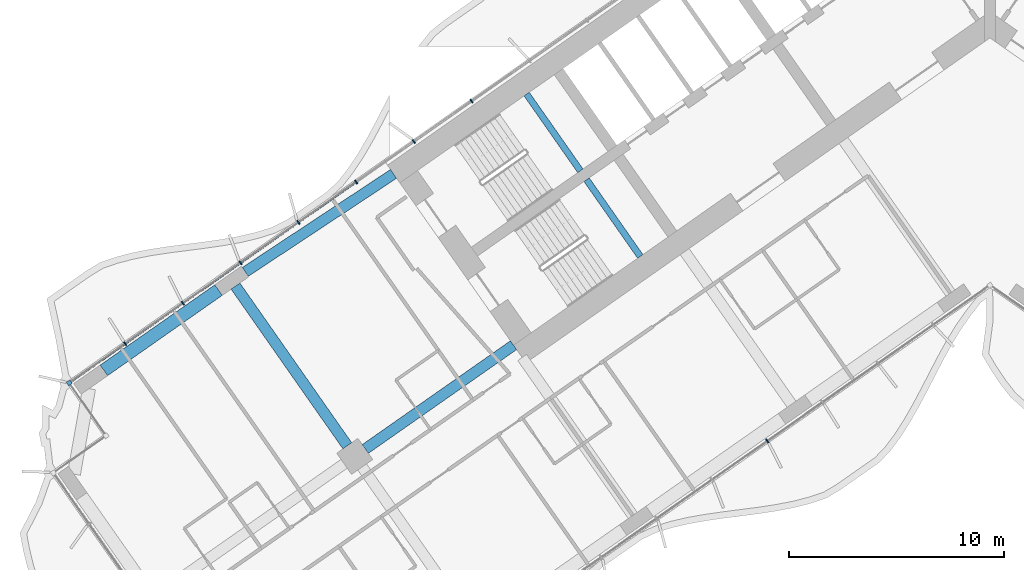
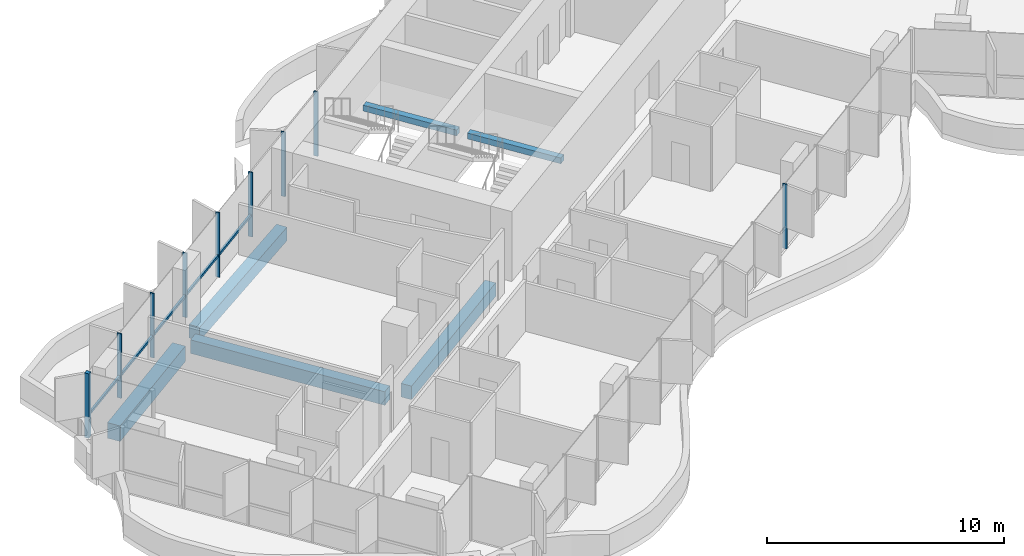
# One storey, part 4 of 23: 10 members, 6 beams, 2 elements without a shape of their own.
"""IFC4 building model written with IfcOpenShell, lengths in metres."""

from ifc_helpers import new_model, si_unit, direction, frame, origin, origin_2d, place, context, subcontext, project, spatial, rectangle, extrude, material, material_profile, profile_set, type_object, element, aggregate, save


model = new_model("IFC4")

# Units and contexts
model_context = context("Model", 3, precision=1e-05, world=origin(), true_north=direction((0.0, 1.0)))
body_context = subcontext(model_context, "Body", "Model", "MODEL_VIEW")
ifc_project = project(units=[si_unit("LENGTHUNIT", "METRE"), si_unit("AREAUNIT", "SQUARE_METRE"), si_unit("VOLUMEUNIT", "CUBIC_METRE"), si_unit("PLANEANGLEUNIT", "RADIAN"), si_unit("MASSUNIT", "GRAM", prefix="KILO")], contexts=[model_context])

# Site, building, storey
site_placement = place(None, origin())
site = spatial("IfcSite", under=ifc_project, at=site_placement, CompositionType="ELEMENT")
building_placement = place(site_placement, origin())
building = spatial("IfcBuilding", under=site, at=building_placement, Name="Tel Ilan Convention Tower", CompositionType="ELEMENT")
storey_placement = place(building_placement, frame((0.0, 0.0, 86.89990234375)))
storey = spatial("IfcBuildingStorey", under=building, at=storey_placement, Name="L17", CompositionType="ELEMENT", Elevation=86.89990234375)

# Beams
ifc_material_1 = material(Name="Concrete C40/50", Category="concrete")
ifc_material_profile_1 = material_profile(ifc_material_1, rectangle(XDim=0.5, YDim=0.699951171875, at=origin_2d()), Name="RC 500x700")
ifc_profile_set_1 = profile_set([ifc_material_profile_1], Name="Concrete C40/50")
beam_type_1 = type_object("IfcBeamType", Name="Beam RC 500x700 Concrete C40/50", PredefinedType="BEAM", material=ifc_profile_set_1)
beam_1_placement = place(storey_placement, frame((-34.570556640625, -12.08447265625, -0.6298828125), z_axis=(0.834273603487, 0.551350663847, 0.0), x_axis=(-0.551350663847, 0.834273603487, 0.0)))
element("IfcBeam", 1, at=beam_1_placement, inside=storey, type_object=beam_type_1, Name="L17 beam W-W-B4-core", PredefinedType="BEAM", context=body_context, shape_type="SweptSolid", body=[
    extrude(rectangle(XDim=0.5, YDim=0.699951171875, at=origin_2d()), origin(), (0.0, 0.0, 1.0), 8.2529296875),
])
beam_2_placement = place(storey_placement, frame((-22.1171875, -15.486572265625, -0.6298828125), z_axis=(-0.819147254605, -0.573583276668, 0.0), x_axis=(0.573583276668, -0.819147254605, 0.0)))
element("IfcBeam", 2, at=beam_2_placement, inside=storey, type_object=beam_type_1, Name="L17 beam W-core-W-M4", PredefinedType="BEAM", context=body_context, shape_type="SweptSolid", body=[
    extrude(rectangle(XDim=0.5, YDim=0.699951171875, at=origin_2d()), origin(), (0.0, 0.0, 1.0), 8.400146484375),
])
beam_3_placement = place(storey_placement, frame((-29.83349609375, -20.1572265625, -0.6298828125), z_axis=(-0.57358002233, 0.819149533348, 0.0), x_axis=(-0.819149533348, -0.57358002233, 0.0)))
element("IfcBeam", 3, at=beam_3_placement, inside=storey, type_object=beam_type_1, Name="L17 beam W-W-M4-W-B4", PredefinedType="BEAM", context=body_context, shape_type="SweptSolid", body=[
    extrude(rectangle(XDim=0.5, YDim=0.699951171875, at=origin_2d()), origin(), (0.0, 0.0, 1.0), 9.050048828125),
])
ifc_material_2 = material(Name="Concrete C40/50", Category="concrete")
ifc_material_profile_2 = material_profile(ifc_material_2, rectangle(XDim=0.60009765625, YDim=0.800048828125, at=origin_2d()), Name="RC 600x800")
ifc_profile_set_2 = profile_set([ifc_material_profile_2], Name="Concrete C40/50")
beam_type_2 = type_object("IfcBeamType", Name="Beam RC 600x800 Concrete C40/50", PredefinedType="BEAM", material=ifc_profile_set_2)
beam_4_placement = place(storey_placement, frame((-41.135498046875, -16.656494140625, -0.679931640625), z_axis=(0.819178980414, 0.573537965655, 0.0), x_axis=(-0.573537965655, 0.819178980414, 0.0)))
element("IfcBeam", 4, at=beam_4_placement, inside=storey, type_object=beam_type_2, Name="L17 beam W-W-BC-W-B4", PredefinedType="BEAM", context=body_context, shape_type="SweptSolid", body=[
    extrude(rectangle(XDim=0.60009765625, YDim=0.800048828125, at=origin_2d()), origin(), (0.0, 0.0, 1.0), 6.5),
])

# Curtain wall, member
ifc_material_3 = material(Name="Aluminium, bronze anodised", Category="aluminium")
curtain_wall_type_1 = type_object("IfcCurtainWallType", Name="CW1 UNITISED CURTAIN WALL, HOTEL TINTED GLASS", PredefinedType="NOTDEFINED", material=ifc_material_3)
curtain_wall_1_placement = place(storey_placement, origin())
curtain_wall_1 = element("IfcCurtainWall", 5, at=curtain_wall_1_placement, inside=storey, type_object=curtain_wall_type_1, Name="Curtain wall CW1-15.02", PredefinedType="NOTDEFINED")
ifc_material_4 = material(Name="Aluminium, bronze anodised", Category="aluminium")
ifc_material_profile_3 = material_profile(ifc_material_4, rectangle(XDim=0.199951171875, YDim=0.199951171875, at=origin_2d()), Name="CW CORNER MULLION 200x200")
ifc_profile_set_3 = profile_set([ifc_material_profile_3], Name="Aluminium, bronze anodised")
member_type_1 = type_object("IfcMemberType", Name="CW CORNER MULLION 200x200", PredefinedType="MULLION", material=ifc_profile_set_3)
member_1_placement = place(storey_placement, frame((-42.7451171875, -17.234375, 0.0), z_axis=(0.0, 0.0, 1.0), x_axis=(-0.819152044289, -0.573576436351, 0.0)))
member_1 = element("IfcMember", 6, at=member_1_placement, type_object=member_type_1, Name="Corner mullion", PredefinedType="MULLION", context=body_context, shape_type="SweptSolid", body=[
    extrude(rectangle(XDim=0.199951171875, YDim=0.199951171875, at=origin_2d()), origin(), (0.0, 0.0, 1.0), 3.320068359375),
])

# Curtain wall, members
ifc_material_5 = material(Name="Aluminium, bronze anodised", Category="aluminium")
curtain_wall_type_2 = type_object("IfcCurtainWallType", Name="CW2 STICK CURTAIN WALL, SPANDREL PANELS", PredefinedType="NOTDEFINED", material=ifc_material_5)
curtain_wall_2_placement = place(storey_placement, origin())
curtain_wall_2 = element("IfcCurtainWall", 7, at=curtain_wall_2_placement, inside=storey, type_object=curtain_wall_type_2, Name="Curtain wall CW2-15.01", PredefinedType="NOTDEFINED")
ifc_material_6 = material(Name="Aluminium, bronze anodised", Category="aluminium")
ifc_material_profile_4 = material_profile(ifc_material_6, rectangle(XDim=0.06005859375, YDim=0.199951171875, at=origin_2d()), Name="CW MULLION 60x200")
ifc_profile_set_4 = profile_set([ifc_material_profile_4], Name="Aluminium, bronze anodised")
member_type_2 = type_object("IfcMemberType", Name="CW MULLION 60x200", PredefinedType="MULLION", material=ifc_profile_set_4)
member_2_placement = place(storey_placement, frame((-24.065185546875, -4.154541015625, 0.0), z_axis=(0.0, 0.0, 1.0), x_axis=(-0.819152044289, -0.573576436351, 0.0)))
member_2 = element("IfcMember", 8, at=member_2_placement, type_object=member_type_2, Name="Mullion", PredefinedType="MULLION", context=body_context, shape_type="SweptSolid", body=[
    extrude(rectangle(XDim=0.06005859375, YDim=0.199951171875, at=origin_2d()), origin(), (0.0, 0.0, 1.0), 3.320068359375),
])
member_3_placement = place(storey_placement, frame((-26.745361328125, -6.03125, 0.0), z_axis=(0.0, 0.0, 1.0), x_axis=(-0.819152044289, -0.573576436351, 0.0)))
member_3 = element("IfcMember", 9, at=member_3_placement, type_object=member_type_2, Name="Mullion", PredefinedType="MULLION", context=body_context, shape_type="SweptSolid", body=[
    extrude(rectangle(XDim=0.06005859375, YDim=0.199951171875, at=origin_2d()), origin(), (0.0, 0.0, 1.0), 3.320068359375),
])
member_4_placement = place(storey_placement, frame((-29.42578125, -7.907958984375, 0.0), z_axis=(0.0, 0.0, 1.0), x_axis=(-0.819152044289, -0.573576436351, 0.0)))
member_4 = element("IfcMember", 10, at=member_4_placement, type_object=member_type_2, Name="Mullion", PredefinedType="MULLION", context=body_context, shape_type="SweptSolid", body=[
    extrude(rectangle(XDim=0.06005859375, YDim=0.199951171875, at=origin_2d()), origin(), (0.0, 0.0, 1.0), 3.320068359375),
])
aggregate(curtain_wall_2, [member_2, member_3, member_4])

# Member
member_5_placement = place(storey_placement, frame((-32.10595703125, -9.78466796875, 0.0), z_axis=(0.0, 0.0, 1.0), x_axis=(-0.819152044289, -0.573576436351, 0.0)))
member_5 = element("IfcMember", 11, at=member_5_placement, type_object=member_type_2, Name="Mullion", PredefinedType="MULLION", context=body_context, shape_type="SweptSolid", body=[
    extrude(rectangle(XDim=0.06005859375, YDim=0.199951171875, at=origin_2d()), origin(), (0.0, 0.0, 1.0), 3.320068359375),
])

member_6_placement = place(storey_placement, frame((-34.7861328125, -11.66162109375, 0.0), z_axis=(0.0, 0.0, 1.0), x_axis=(-0.819152044289, -0.573576436351, 0.0)))
member_6 = element("IfcMember", 12, at=member_6_placement, type_object=member_type_2, Name="Mullion", PredefinedType="MULLION", context=body_context, shape_type="SweptSolid", body=[
    extrude(rectangle(XDim=0.06005859375, YDim=0.199951171875, at=origin_2d()), origin(), (0.0, 0.0, 1.0), 3.320068359375),
])

member_7_placement = place(storey_placement, frame((-37.466552734375, -13.538330078125, 0.0), z_axis=(0.0, 0.0, 1.0), x_axis=(-0.819152044289, -0.573576436351, 0.0)))
member_7 = element("IfcMember", 13, at=member_7_placement, type_object=member_type_2, Name="Mullion", PredefinedType="MULLION", context=body_context, shape_type="SweptSolid", body=[
    extrude(rectangle(XDim=0.06005859375, YDim=0.199951171875, at=origin_2d()), origin(), (0.0, 0.0, 1.0), 3.320068359375),
])

member_8_placement = place(storey_placement, frame((-40.146728515625, -15.4150390625, 0.0), z_axis=(0.0, 0.0, 1.0), x_axis=(-0.819152044289, -0.573576436351, 0.0)))
member_8 = element("IfcMember", 14, at=member_8_placement, type_object=member_type_2, Name="Mullion", PredefinedType="MULLION", context=body_context, shape_type="SweptSolid", body=[
    extrude(rectangle(XDim=0.06005859375, YDim=0.199951171875, at=origin_2d()), origin(), (0.0, 0.0, 1.0), 3.320068359375),
])

member_9_placement = place(storey_placement, frame((-10.337158203125, -19.93408203125, 0.0), z_axis=(0.0, 0.0, 1.0), x_axis=(0.819152044289, 0.573576436351, 0.0)))
member_9 = element("IfcMember", 15, at=member_9_placement, type_object=member_type_2, Name="Mullion", PredefinedType="MULLION", context=body_context, shape_type="SweptSolid", body=[
    extrude(rectangle(XDim=0.06005859375, YDim=0.199951171875, at=origin_2d()), origin(), (0.0, 0.0, 1.0), 3.320068359375),
])

ifc_material_7 = material(Name="Aluminium, bronze anodised", Category="aluminium")
ifc_material_profile_5 = material_profile(ifc_material_7, rectangle(XDim=0.10009765625, YDim=0.1201171875, at=origin_2d()), Name="CW TRANSOM 100x120")
ifc_profile_set_5 = profile_set([ifc_material_profile_5], Name="Aluminium, bronze anodised")
member_type_3 = type_object("IfcMemberType", Name="CW TRANSOM 100x120", PredefinedType="USERDEFINED", material=ifc_profile_set_5)
member_10_placement = place(storey_placement, frame((-29.4501953125, -7.92529296875, 1.10009765625), z_axis=(-0.819153693934, -0.573574080407, 0.0), x_axis=(0.573574080407, -0.819153693934, 0.0)))
member_10 = element("IfcMember", 16, at=member_10_placement, type_object=member_type_3, Name="Transom", ObjectType="TRANSOM", PredefinedType="USERDEFINED", context=body_context, shape_type="SweptSolid", body=[
    extrude(rectangle(XDim=0.10009765625, YDim=0.1201171875, at=origin_2d()), origin(), (0.0, 0.0, 1.0), 16.1298828125),
])

aggregate(curtain_wall_1, [member_5, member_6, member_7, member_8, member_1, member_10, member_9])

# Beams
ifc_material_8 = material(Name="Concrete C40/50", Category="concrete")
ifc_material_profile_6 = material_profile(ifc_material_8, rectangle(XDim=0.300048828125, YDim=0.300048828125, at=origin_2d()), Name="RC 300x300")
ifc_profile_set_6 = profile_set([ifc_material_profile_6], Name="Concrete C40/50")
beam_type_3 = type_object("IfcBeamType", Name="Landing Beam RC 300x300 Concrete C40/50", PredefinedType="BEAM", material=ifc_profile_set_6)
beam_5_placement = place(storey_placement, frame((-19.013671875, -7.392822265625, 1.4501953125), z_axis=(-0.57356780395, 0.819158088694, 0.0), x_axis=(-0.819158088694, -0.57356780395, 0.0)))
element("IfcBeam", 17, at=beam_5_placement, inside=storey, type_object=beam_type_3, Name="S1 landing beam L17.1", PredefinedType="BEAM", context=body_context, shape_type="SweptSolid", body=[
    extrude(rectangle(XDim=0.300048828125, YDim=0.300048828125, at=origin_2d()), origin(), (0.0, 0.0, 1.0), 4.35009765625),
])
beam_6_placement = place(storey_placement, frame((-16.231689453125, -11.365478515625, 1.4501953125), z_axis=(-0.573594173421, 0.819139624372, 0.0), x_axis=(-0.819139624372, -0.573594173421, 0.0)))
element("IfcBeam", 18, at=beam_6_placement, inside=storey, type_object=beam_type_3, Name="S2 landing beam L17.1", PredefinedType="BEAM", context=body_context, shape_type="SweptSolid", body=[
    extrude(rectangle(XDim=0.300048828125, YDim=0.300048828125, at=origin_2d()), origin(), (0.0, 0.0, 1.0), 4.349853515625),
])

save(model, "model.ifc")
